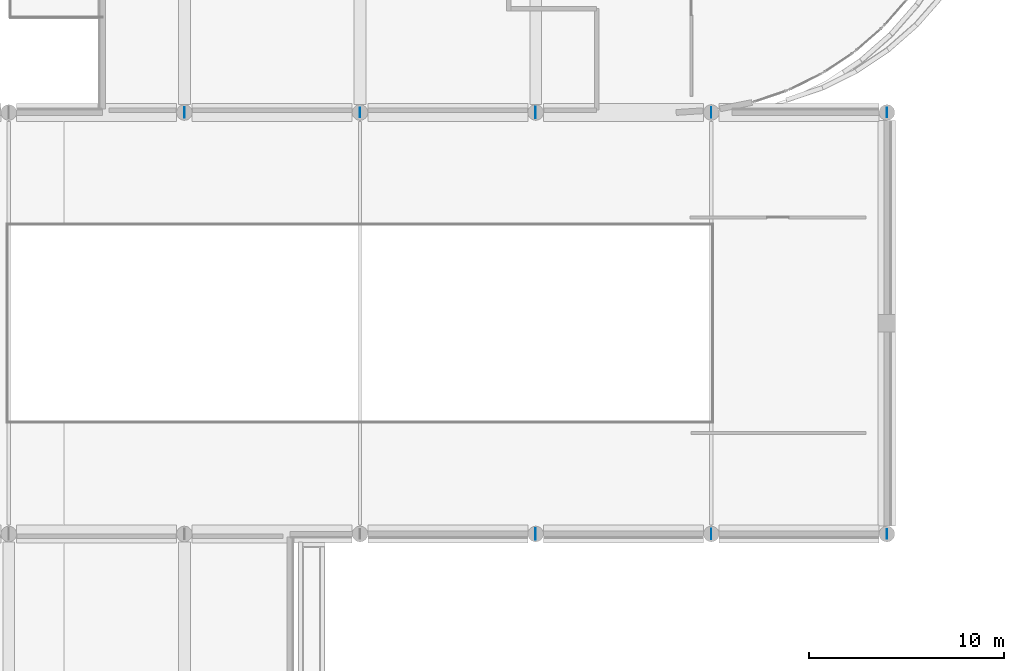
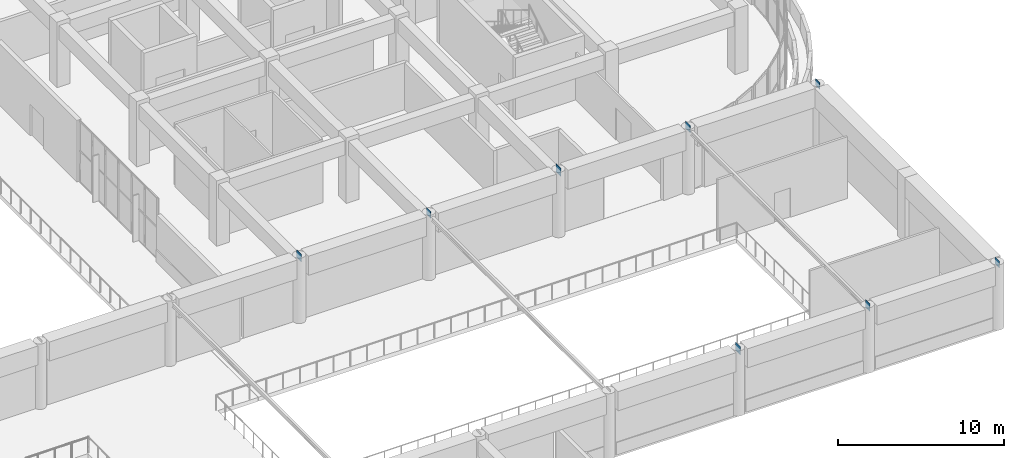
# One storey, part 59 of 96: 8 plates.
"""IFC4 building model written with IfcOpenShell, lengths in metres."""

from ifc_helpers import new_model, si_unit, direction, frame, origin, origin_2d, place, context, subcontext, project, spatial, rectangle, extrude, material, layer, layer_set, type_object, element, save


model = new_model("IFC4")

# Units and contexts
model_context = context("Model", 3, precision=1e-05, world=origin(), true_north=direction((0.0, 1.0)))
body_context = subcontext(model_context, "Body", "Model", "MODEL_VIEW")
ifc_project = project(units=[si_unit("LENGTHUNIT", "METRE"), si_unit("AREAUNIT", "SQUARE_METRE"), si_unit("VOLUMEUNIT", "CUBIC_METRE"), si_unit("PLANEANGLEUNIT", "RADIAN"), si_unit("MASSUNIT", "GRAM", prefix="KILO")], contexts=[model_context])

# Site, building, storey
site_placement = place(None, origin())
site = spatial("IfcSite", under=ifc_project, at=site_placement, CompositionType="ELEMENT")
building_placement = place(site_placement, origin())
building = spatial("IfcBuilding", under=site, at=building_placement, Name="Cendralis Terraced Arcade", CompositionType="ELEMENT")
storey_placement = place(building_placement, frame((0.0, 0.0, 10.199951171875)))
storey = spatial("IfcBuildingStorey", under=building, at=storey_placement, Name="L02", CompositionType="ELEMENT", Elevation=10.199951171875)

# Plates
ifc_material = material(Name="Steel ASTM A572 Grade 50", Category="steel")
ifc_layer_1 = layer(ifc_material, 0.01806640625, Name="PLT-GUS-500x500x18")
ifc_layer_set_1 = layer_set([ifc_layer_1], Name="Steel ASTM A572 Grade 50")
plate_type_1 = type_object("IfcPlateType", Name="PLT-GUS-500x500x18", PredefinedType="SHEET", material=ifc_layer_set_1)
for number, where, z_axis, x_axis, name in (
    (1, (139.199951171875, 60.0, 4.449951171875), (0.0, 0.0, 1.0), (0.0, 1.0, 0.0), "Shopping Arcade Vault Springing Node Gusset Plate 09-N"),
    (2, (166.199951171875, 38.39990234375, 4.449951171875), (0.0, 0.0, 1.0), (0.0, 1.0, 0.0), "Shopping Arcade Vault Springing Node Gusset Plate 12-S"),
    (3, (166.199951171875, 60.0, 4.449951171875), (0.0, 0.0, 1.0), (0.0, 1.0, 0.0), "Shopping Arcade Vault Springing Node Gusset Plate 12-N"),
):
    element("IfcPlate", number, at=place(storey_placement, frame(where, z_axis=z_axis, x_axis=x_axis)), inside=storey, type_object=plate_type_1, Name=name, PredefinedType="SHEET", context=body_context, shape_type="SweptSolid", body=[
        extrude(rectangle(XDim=0.5, YDim=0.01806640625, at=origin_2d()), origin(), (0.0, 0.0, 1.0), 0.5),
    ])
ifc_layer_2 = layer(ifc_material, 0.01806640625, Name="PLT-GUS-550x550x18")
ifc_layer_set_2 = layer_set([ifc_layer_2], Name="Steel ASTM A572 Grade 50")
plate_type_2 = type_object("IfcPlateType", Name="PLT-GUS-550x550x18", PredefinedType="SHEET", material=ifc_layer_set_2)
for number, where, z_axis, x_axis, name in (
    (4, (130.199951171875, 60.0, 4.4248046875), (0.0, 0.0, 1.0), (0.0, 1.0, 0.0), "Shopping Arcade Vault Springing Node Gusset Plate 08-N"),
    (5, (157.199951171875, 38.39990234375, 4.4248046875), (0.0, 0.0, 1.0), (0.0, 1.0, 0.0), "Shopping Arcade Vault Springing Node Gusset Plate 11-S"),
    (6, (157.199951171875, 60.0, 4.4248046875), (0.0, 0.0, 1.0), (0.0, 1.0, 0.0), "Shopping Arcade Vault Springing Node Gusset Plate 11-N"),
):
    element("IfcPlate", number, at=place(storey_placement, frame(where, z_axis=z_axis, x_axis=x_axis)), inside=storey, type_object=plate_type_2, Name=name, PredefinedType="SHEET", context=body_context, shape_type="SweptSolid", body=[
        extrude(rectangle(XDim=0.550048828125, YDim=0.01806640625, at=origin_2d()), origin(), (0.0, 0.0, 1.0), 0.550048828125),
    ])
ifc_layer_3 = layer(ifc_material, 0.02001953125, Name="PLT-GUS-600x600x20")
ifc_layer_set_3 = layer_set([ifc_layer_3], Name="Steel ASTM A572 Grade 50")
plate_type_3 = type_object("IfcPlateType", Name="PLT-GUS-600x600x20", PredefinedType="SHEET", material=ifc_layer_set_3)
for number, where, z_axis, x_axis, name in (
    (7, (148.199951171875, 38.39990234375, 4.39990234375), (0.0, 0.0, 1.0), (0.0, 1.0, 0.0), "Shopping Arcade Vault Springing Node Gusset Plate 10-S"),
    (8, (148.199951171875, 60.0, 4.39990234375), (0.0, 0.0, 1.0), (0.0, 1.0, 0.0), "Shopping Arcade Vault Springing Node Gusset Plate 10-N"),
):
    element("IfcPlate", number, at=place(storey_placement, frame(where, z_axis=z_axis, x_axis=x_axis)), inside=storey, type_object=plate_type_3, Name=name, PredefinedType="SHEET", context=body_context, shape_type="SweptSolid", body=[
        extrude(rectangle(XDim=0.60009765625, YDim=0.02001953125, at=origin_2d()), origin(), (0.0, 0.0, 1.0), 0.60009765625),
    ])

save(model, "model.ifc")
